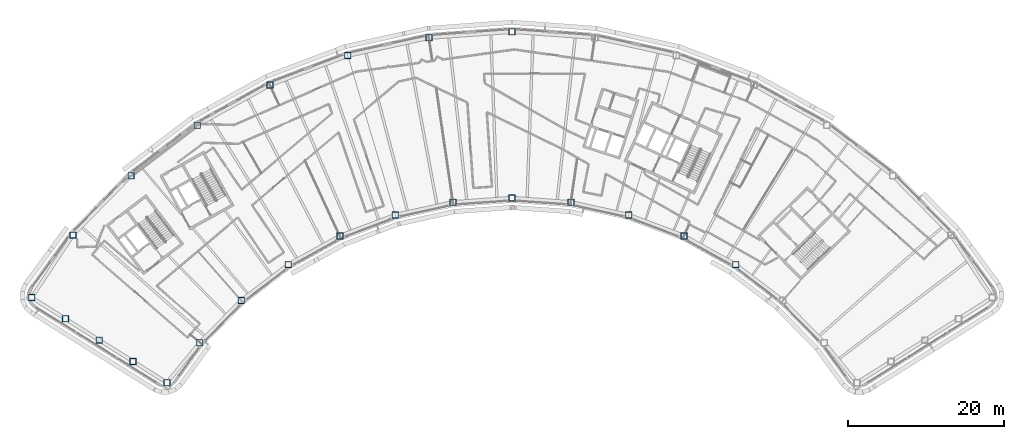
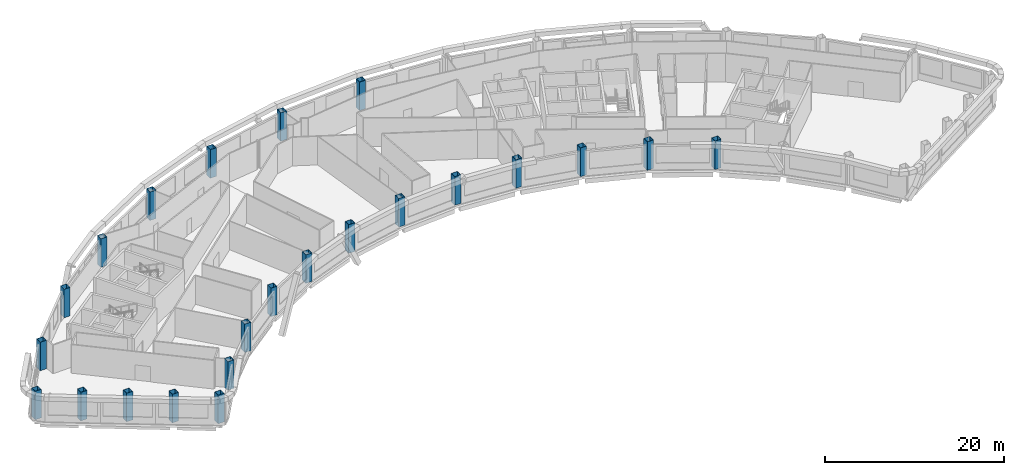
# One storey, part 1 of 16: 23 columns.
"""IFC4 building model written with IfcOpenShell, lengths in metres."""

from ifc_helpers import new_model, si_unit, direction, frame, origin, origin_2d, place, context, subcontext, project, spatial, hollow_rectangle, extrude, material, material_profile, profile_set, type_object, element, save


model = new_model("IFC4")

# Units and contexts
model_context = context("Model", 3, precision=1e-05, world=origin(), true_north=direction((0.0, 1.0)))
body_context = subcontext(model_context, "Body", "Model", "MODEL_VIEW")
ifc_project = project(units=[si_unit("LENGTHUNIT", "METRE"), si_unit("AREAUNIT", "SQUARE_METRE"), si_unit("VOLUMEUNIT", "CUBIC_METRE"), si_unit("PLANEANGLEUNIT", "RADIAN"), si_unit("MASSUNIT", "GRAM", prefix="KILO")], contexts=[model_context])

# Site, building, storey
site_placement = place(None, origin())
site = spatial("IfcSite", under=ifc_project, at=site_placement, CompositionType="ELEMENT")
building_placement = place(site_placement, origin())
building = spatial("IfcBuilding", under=site, at=building_placement, Name="Tuul Gate Civic Tower", CompositionType="ELEMENT")
storey_placement = place(building_placement, frame((0.0, 0.0, 261.0)))
storey = spatial("IfcBuildingStorey", under=building, at=storey_placement, Name="Level 59", CompositionType="ELEMENT", Elevation=261.0)

# Columns
ifc_material = material(Name="Steel S355", Category="steel")
ifc_material_profile = material_profile(ifc_material, hollow_rectangle(XDim=0.800048828125, YDim=0.800048828125, WallThickness=0.031982421875, at=origin_2d()), Name="BOX800x800x32")
ifc_profile_set = profile_set([ifc_material_profile], Name="Steel S355")
column_type = type_object("IfcColumnType", Name="STR-COLUMN-BOX800x800x32", PredefinedType="COLUMN", material=ifc_profile_set)
for number, where, z_axis, x_axis, name in (
    (1, (11.031005859375, 13.47412109375, 0.0), (0.0, 0.0, 1.0), (1.0, 0.0, 0.0), "Column"),
    (2, (0.381103515625, 12.702880859375, 0.0), (0.0, 0.0, 1.0), (1.0, 0.0, 0.0), "Column"),
    (3, (-10.0458984375, 10.405029296875, 0.0), (0.0, 0.0, 1.0), (1.0, 0.0, 0.0), "Column"),
    (4, (-20.032958984375, 6.6279296875, 0.0), (0.0, 0.0, 1.0), (1.0, 0.0, 0.0), "Column"),
    (5, (-29.37109375, 1.451904296875, 0.0), (0.0, 0.0, 1.0), (1.0, 0.0, 0.0), "Column"),
    (6, (-37.866943359375, -5.01708984375, 0.0), (0.0, 0.0, 1.0), (1.0, 0.0, 0.0), "Column"),
    (7, (-45.341064453125, -12.64208984375, 0.0), (0.0, 0.0, 1.0), (1.0, 0.0, 0.0), "Column"),
    (8, (-50.639892578125, -20.654052734375, 0.0), (0.0, 0.0, 1.0), (1.0, 0.0, 0.0), "Column"),
    (9, (-46.298095703125, -23.388916015625, 0.0), (0.0, 0.0, 1.0), (1.0, 0.0, 0.0), "Column"),
    (10, (-41.955078125, -26.123046875, 0.0), (0.0, 0.0, 1.0), (1.0, 0.0, 0.0), "Column"),
    (11, (-37.613037109375, -28.85791015625, 0.0), (0.0, 0.0, 1.0), (1.0, 0.0, 0.0), "Column"),
    (12, (-33.27001953125, -31.592041015625, 0.0), (0.0, 0.0, 1.0), (1.0, 0.0, 0.0), "Column"),
    (13, (-29.050048828125, -26.449951171875, 0.0), (0.0, 0.0, 1.0), (1.0, 0.0, 0.0), "Column"),
    (14, (-23.736083984375, -21.029052734375, 0.0), (0.0, 0.0, 1.0), (1.0, 0.0, 0.0), "Column"),
    (15, (-17.696044921875, -16.429931640625, 0.0), (0.0, 0.0, 1.0), (1.0, 0.0, 0.0), "Column"),
    (16, (-11.055908203125, -12.7490234375, 0.0), (0.0, 0.0, 1.0), (1.0, 0.0, 0.0), "Column"),
    (17, (-3.955078125, -10.06396484375, 0.0), (0.0, 0.0, 1.0), (1.0, 0.0, 0.0), "Column"),
    (18, (3.458984375, -8.429931640625, 0.0), (0.0, 0.0, 1.0), (1.0, 0.0, 0.0), "Column"),
    (19, (11.031005859375, -7.882080078125, 0.0), (0.0, 0.0, 1.0), (1.0, 0.0, 0.0), "Column"),
    (20, (18.60302734375, -8.429931640625, 0.0), (0.0, 0.0, 1.0), (1.0, 0.0, 0.0), "Column"),
    (21, (26.01708984375, -10.06396484375, 0.0), (0.0, 0.0, 1.0), (1.0, 0.0, 0.0), "Column"),
    (22, (33.117919921875, -12.7490234375, 0.0), (0.0, 0.0, 1.0), (1.0, 0.0, 0.0), "Column"),
    (23, (39.757080078125, -16.429931640625, 0.0), (0.0, 0.0, 1.0), (1.0, 0.0, 0.0), "Column"),
):
    element("IfcColumn", number, at=place(storey_placement, frame(where, z_axis=z_axis, x_axis=x_axis)), inside=storey, type_object=column_type, Name=name, PredefinedType="COLUMN", context=body_context, shape_type="SweptSolid", body=[
        extrude(hollow_rectangle(XDim=0.800048828125, YDim=0.800048828125, WallThickness=0.031982421875, at=origin_2d()), origin(), (0.0, 0.0, 1.0), 3.89990234375),
    ])

save(model, "model.ifc")
